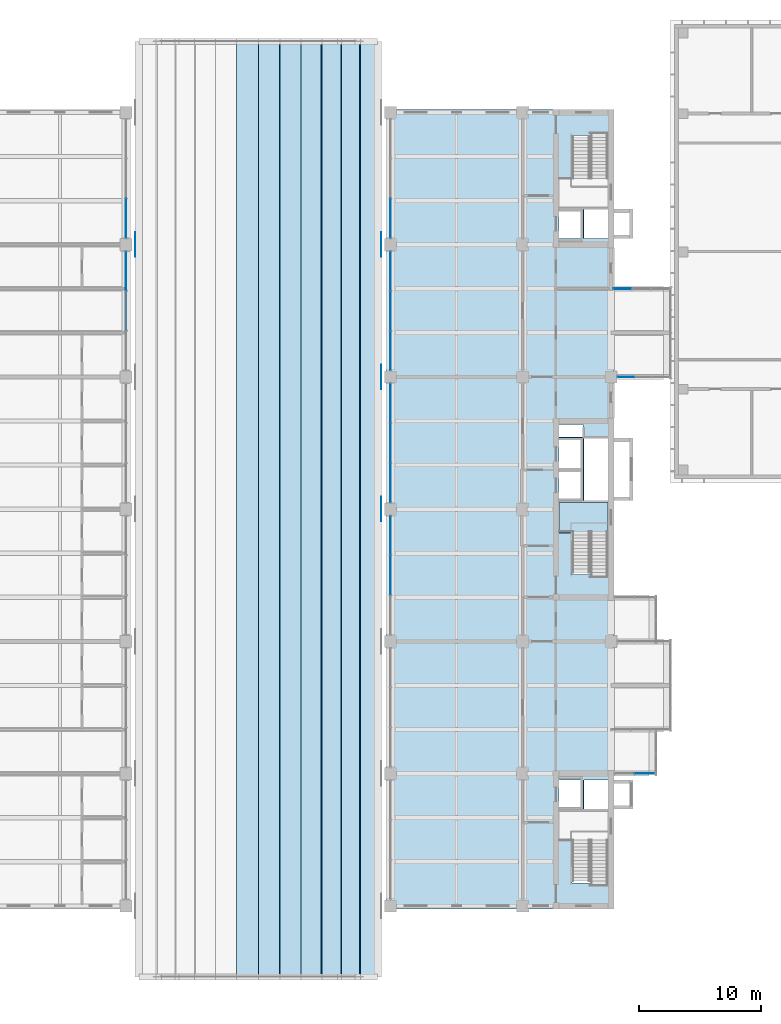
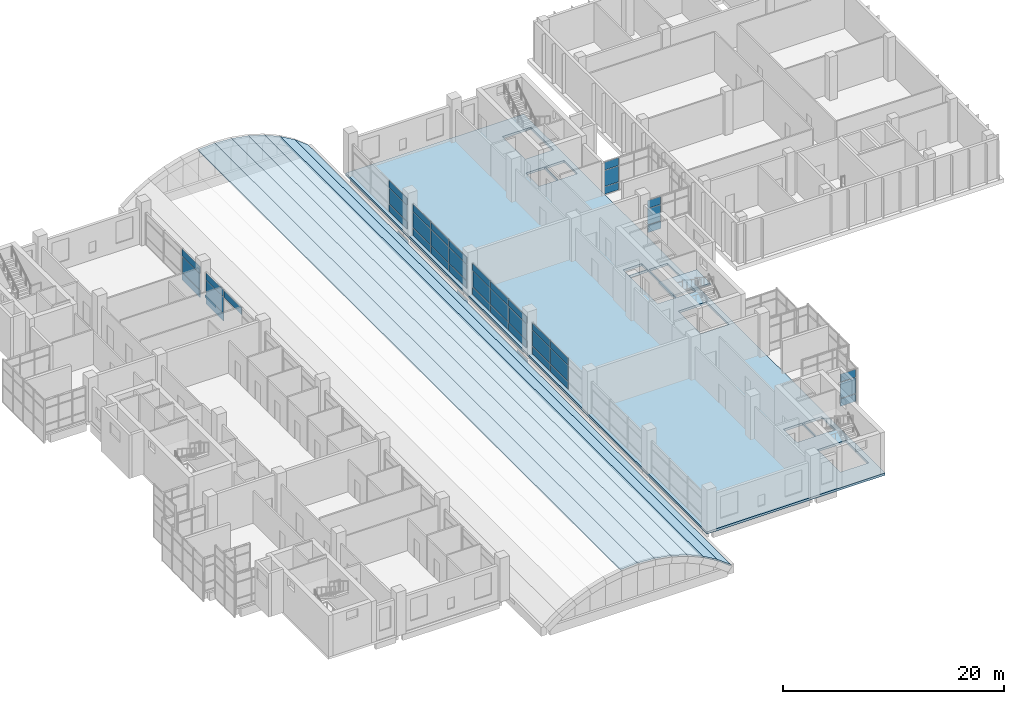
# One storey, part 27 of 45: 47 plates, 9 slabs, 10 elements without a shape of their own.
"""IFC4 building model written with IfcOpenShell, lengths in metres."""

from ifc_helpers import new_model, si_unit, direction, frame, origin, origin_2d, place, context, subcontext, project, spatial, polyline, rectangle, outline, extrude, material, layer, layer_set, type_object, element, aggregate, save


model = new_model("IFC4")

# Units and contexts
model_context = context("Model", 3, precision=1e-05, world=origin(), true_north=direction((0.0, 1.0)))
body_context = subcontext(model_context, "Body", "Model", "MODEL_VIEW")
ifc_project = project(units=[si_unit("LENGTHUNIT", "METRE"), si_unit("AREAUNIT", "SQUARE_METRE"), si_unit("VOLUMEUNIT", "CUBIC_METRE"), si_unit("PLANEANGLEUNIT", "RADIAN"), si_unit("MASSUNIT", "GRAM", prefix="KILO")], contexts=[model_context])

# Site, building, storey
site_placement = place(None, origin())
site = spatial("IfcSite", under=ifc_project, at=site_placement, CompositionType="ELEMENT")
building_placement = place(site_placement, origin())
building = spatial("IfcBuilding", under=site, at=building_placement, Name="Basin Gate Institute", CompositionType="ELEMENT")
storey_placement = place(building_placement, frame((0.0, 0.0, 22.199951171875)))
storey = spatial("IfcBuildingStorey", under=building, at=storey_placement, Name="L04", CompositionType="ELEMENT", Elevation=22.199951171875)

# Slabs
ifc_material_1 = material(Name="Concrete 40 MPa", Category="concrete")
ifc_layer_1 = layer(ifc_material_1, 0.14990234375)
ifc_layer_set_1 = layer_set([ifc_layer_1], Name="Concrete 40 MPa")
slab_type_1 = type_object("IfcSlabType", Name="Barrel shell strip SH1 R120", PredefinedType="ROOF", material=ifc_layer_set_1)
for number, where, z_axis, x_axis, name in (
    (1, (88.235107421875, 29.300048828125, 3.49609375), (-0.05882725737, 0.0, 0.99826817729), (0.99826817729, 0.0, 0.05882725737), "Atrium shell strip 6"),
    (2, (90.0, 29.300048828125, 3.60009765625), (0.05882725737, 0.0, 0.99826817729), (0.99826817729, 0.0, -0.05882725737), "Atrium shell strip 7"),
):
    element("IfcSlab", number, at=place(storey_placement, frame(where, z_axis=z_axis, x_axis=x_axis)), inside=storey, type_object=slab_type_1, material=ifc_layer_set_1, Name=name, PredefinedType="ROOF", context=body_context, shape_type="SweptSolid", body=[
        extrude(outline(polyline([(0.0, 0.0), (1.7679543616383224, 0.0), (1.7679543616383224, 76.39990234374999), (0.0, 76.39990234374999), (0.0, 0.0)])), origin(), (0.0, 0.0, -1.0), 0.14990234375),
    ])
slab_1_placement = place(storey_placement, frame((91.764892578125, 29.300048828125, 3.49609375), z_axis=(0.175967513844, 0.0, 0.984395974226), x_axis=(0.984395974226, 0.0, -0.175967513844)))
element("IfcSlab", 3, at=slab_1_placement, inside=storey, type_object=slab_type_1, material=ifc_layer_set_1, Name="Atrium shell strip 8", PredefinedType="ROOF", context=body_context, shape_type="SweptSolid", body=[
    extrude(outline(polyline([(0.0, 0.0), (1.767571465073995, 0.0), (1.767571465073995, 76.39990234375), (0.0, 76.39990234375), (0.0, 0.0)])), origin(), (0.0, 0.0, -1.0), 0.14990234375),
])
slab_2_placement = place(storey_placement, frame((93.5048828125, 29.300048828125, 3.18505859375), z_axis=(0.290601233715, 0.0, 0.956844252198), x_axis=(0.956844252198, 0.0, -0.290601233715)))
element("IfcSlab", 4, at=slab_2_placement, inside=storey, type_object=slab_type_1, material=ifc_layer_set_1, Name="Atrium shell strip 9", PredefinedType="ROOF", context=body_context, shape_type="SweptSolid", body=[
    extrude(outline(polyline([(0.0, 0.0), (1.768457790271163, 0.0), (1.768457790271163, 76.39990234375), (0.0, 76.39990234375), (0.0, 0.0)])), origin(), (0.0, 0.0, -1.0), 0.14990234375),
])
slab_3_placement = place(storey_placement, frame((95.197021484375, 29.300048828125, 2.671142578125), z_axis=(0.401159401396, 0.0, 0.916008261246), x_axis=(0.916008261246, 0.0, -0.401159401396)))
element("IfcSlab", 5, at=slab_3_placement, inside=storey, type_object=slab_type_1, material=ifc_layer_set_1, Name="Atrium shell strip 10", PredefinedType="ROOF", context=body_context, shape_type="SweptSolid", body=[
    extrude(outline(polyline([(0.0, 0.0), (1.7673383012643265, 0.0), (1.7673383012643265, 76.39990234375001), (0.0, 76.39990234375001), (0.0, 0.0)])), origin(), (0.0, 0.0, -1.0), 0.14990234375),
])
slab_4_placement = place(storey_placement, frame((96.81591796875, 29.300048828125, 1.962158203125), z_axis=(0.505715955593, 0.0, 0.862700047675), x_axis=(0.862700047675, 0.0, -0.505715955593)))
element("IfcSlab", 6, at=slab_4_placement, inside=storey, type_object=slab_type_1, material=ifc_layer_set_1, Name="Atrium shell strip 11", PredefinedType="ROOF", context=body_context, shape_type="SweptSolid", body=[
    extrude(outline(polyline([(0.0, 0.0), (1.767875739064467, 0.0), (1.767875739064467, 76.39990234375), (0.0, 76.39990234375), (0.0, 0.0)])), origin(), (0.0, 0.0, -1.0), 0.14990234375),
])
slab_5_placement = place(storey_placement, frame((98.341064453125, 29.300048828125, 1.068115234375), z_axis=(0.604123513063, 0.0, 0.796890695745), x_axis=(0.796890695745, 0.0, -0.604123513063)))
element("IfcSlab", 7, at=slab_5_placement, inside=storey, type_object=slab_type_1, material=ifc_layer_set_1, Name="Atrium shell strip 12", PredefinedType="ROOF", context=body_context, shape_type="SweptSolid", body=[
    extrude(outline(polyline([(0.0, 0.0), (1.7680411559553462, 0.0), (1.7680411559553462, 76.39990234375), (0.0, 76.39990234375), (0.0, 0.0)])), origin(), (0.0, 0.0, -1.0), 0.14990234375),
])

# Plates
ifc_material_2 = material(Name="Stainless steel", Category="steel")
ifc_layer_2 = layer(ifc_material_2, 0.0029296875)
ifc_layer_set_2 = layer_set([ifc_layer_2], Name="Stainless steel")
plate_type_1 = type_object("IfcPlateType", Name="Shell joint cover JC1", PredefinedType="SHEET", material=ifc_layer_set_2)
for number, where, z_axis, x_axis, name in (
    (8, (100.051513671875, 67.5, -0.39990234375), (0.0, 0.0, 1.0), (1.0, 0.0, 0.0), "Atrium shell joint cover 4E"),
    (9, (100.051513671875, 78.300048828125, -0.39990234375), (0.0, 0.0, 1.0), (1.0, 0.0, 0.0), "Atrium shell joint cover 5E"),
    (10, (79.948486328125, 89.10009765625, -0.39990234375), (0.0, 0.0, 1.0), (1.0, 0.0, 0.0), "Atrium shell joint cover 6W"),
    (11, (100.051513671875, 89.10009765625, -0.39990234375), (0.0, 0.0, 1.0), (1.0, 0.0, 0.0), "Atrium shell joint cover 6E"),
):
    element("IfcPlate", number, at=place(storey_placement, frame(where, z_axis=z_axis, x_axis=x_axis)), inside=storey, type_object=plate_type_1, material=ifc_layer_set_2, Name=name, PredefinedType="SHEET", context=body_context, shape_type="SweptSolid", body=[
        extrude(rectangle(XDim=0.0029296875, YDim=2.0, at=origin_2d()), origin(), (0.0, 0.0, 1.0), 0.300048828125),
    ])

# Slab
ifc_material_3 = material(Name="Concrete 40 MPa", Category="concrete")
ifc_layer_3 = layer(ifc_material_3, 0.25)
ifc_layer_set_3 = layer_set([ifc_layer_3], Name="Concrete 40 MPa")
slab_type_2 = type_object("IfcSlabType", Name="Slab SL4 R120", PredefinedType="FLOOR", material=ifc_layer_set_3)
slab_6_placement = place(storey_placement, frame((0.0, 0.0, -0.25)))
element("IfcSlab", 12, at=slab_6_placement, inside=storey, type_object=slab_type_2, material=ifc_layer_set_3, Name="SLAB/L04/E", PredefinedType="FLOOR", context=body_context, shape_type="SweptSolid", body=[
    extrude(outline(polyline([(119.050048828125, 100.14990234375), (100.449951171875, 100.14990234375), (100.449951171875, 34.85009765625), (119.050048828125, 34.85009765625), (119.050048828125, 100.14990234375)]), holes=[polyline([(118.550048828125, 41.070068359375), (115.60009765625, 41.070068359375), (115.60009765625, 36.969970703125), (118.550048828125, 36.969970703125), (118.550048828125, 41.070068359375)]), polyline([(118.550048828125, 66.27001953125), (115.60009765625, 66.27001953125), (115.60009765625, 62.169921875), (118.550048828125, 62.169921875), (118.550048828125, 66.27001953125)]), polyline([(118.550048828125, 98.030029296875), (115.60009765625, 98.030029296875), (115.60009765625, 93.929931640625), (118.550048828125, 93.929931640625), (118.550048828125, 98.030029296875)]), polyline([(118.550048828125, 45.39990234375), (116.60009765625, 45.39990234375), (116.60009765625, 43.0), (118.550048828125, 43.0), (118.550048828125, 45.39990234375)]), polyline([(118.550048828125, 73.300048828125), (116.60009765625, 73.300048828125), (116.60009765625, 68.199951171875), (118.550048828125, 68.199951171875), (118.550048828125, 73.300048828125)]), polyline([(116.5, 74.39990234375), (114.550048828125, 74.39990234375), (114.550048828125, 73.39990234375), (116.5, 73.39990234375), (116.5, 74.39990234375)]), polyline([(118.550048828125, 92.0), (116.60009765625, 92.0), (116.60009765625, 89.60009765625), (118.550048828125, 89.60009765625), (118.550048828125, 92.0)]), polyline([(116.5, 45.39990234375), (114.550048828125, 45.39990234375), (114.550048828125, 43.0), (116.5, 43.0), (116.5, 45.39990234375)]), polyline([(116.5, 68.199951171875), (114.550048828125, 68.199951171875), (114.550048828125, 73.300048828125), (116.5, 73.300048828125), (116.5, 68.199951171875)]), polyline([(116.5, 92.0), (114.550048828125, 92.0), (114.550048828125, 89.60009765625), (116.5, 89.60009765625), (116.5, 92.0)])]), origin(), (0.0, 0.0, 1.0), 0.25),
])

# Curtain wall, plates
ifc_material_4 = material(Name="Aluminium-framed glazing", Category="aluminium")
ifc_layer_4 = layer(ifc_material_4, 0.199951171875)
ifc_layer_set_4 = layer_set([ifc_layer_4], Name="Atrium curtain wall CW2")
curtain_wall_type_1 = type_object("IfcCurtainWallType", Name="Atrium curtain wall CW2", PredefinedType="NOTDEFINED", material=ifc_layer_set_4)
curtain_wall_1_placement = place(storey_placement, origin())
curtain_wall_1 = element("IfcCurtainWall", 13, at=curtain_wall_1_placement, inside=storey, type_object=curtain_wall_type_1, material=ifc_layer_set_4, Name="Atrium curtain wall W wing atrium bay 5 L04", PredefinedType="NOTDEFINED")
ifc_material_5 = material(Name="Aluminium insulated spandrel panel", Category="aluminium")
ifc_layer_5 = layer(ifc_material_5, 0.050048828125)
ifc_layer_set_5 = layer_set([ifc_layer_5], Name="Spandrel panel PN2")
plate_type_2 = type_object("IfcPlateType", Name="Spandrel panel PN2", PredefinedType="CURTAIN_PANEL", material=ifc_layer_set_5)
plate_1_placement = place(storey_placement, frame((79.199951171875, 83.699951171875, 2.72998046875), z_axis=(0.0, 0.0, 1.0), x_axis=(0.0, 1.0, 0.0)))
plate_1 = element("IfcPlate", 14, at=plate_1_placement, type_object=plate_type_2, material=ifc_layer_set_5, Name="CW2 spandrel panel 2.3", PredefinedType="CURTAIN_PANEL", context=body_context, shape_type="SweptSolid", body=[
    extrude(rectangle(XDim=3.206787109375, YDim=0.050048828125, at=origin_2d()), origin(), (0.0, 0.0, 1.0), 0.760009765625),
])
plate_2_placement = place(storey_placement, frame((79.199951171875, 86.95166015625, 0.06005859375), z_axis=(0.0, 0.0, 1.0), x_axis=(0.0, 1.0, 0.0)))
plate_2 = element("IfcPlate", 15, at=plate_2_placement, type_object=plate_type_2, material=ifc_layer_set_5, Name="CW2 spandrel panel 3.1", PredefinedType="CURTAIN_PANEL", context=body_context, shape_type="SweptSolid", body=[
    extrude(rectangle(XDim=3.1767578125, YDim=0.050048828125, at=origin_2d()), origin(), (0.0, 0.0, 1.0), 0.81005859375),
])
plate_3_placement = place(storey_placement, frame((79.199951171875, 86.95166015625, 2.72998046875), z_axis=(0.0, 0.0, 1.0), x_axis=(0.0, 1.0, 0.0)))
plate_3 = element("IfcPlate", 16, at=plate_3_placement, type_object=plate_type_2, material=ifc_layer_set_5, Name="CW2 spandrel panel 3.3", PredefinedType="CURTAIN_PANEL", context=body_context, shape_type="SweptSolid", body=[
    extrude(rectangle(XDim=3.1767578125, YDim=0.050048828125, at=origin_2d()), origin(), (0.0, 0.0, 1.0), 0.760009765625),
])

curtain_wall_2_placement = place(storey_placement, origin())
curtain_wall_2 = element("IfcCurtainWall", 17, at=curtain_wall_2_placement, inside=storey, type_object=curtain_wall_type_1, material=ifc_layer_set_4, Name="Atrium curtain wall W wing atrium bay 6 L04", PredefinedType="NOTDEFINED")
plate_4_placement = place(storey_placement, frame((79.199951171875, 91.248291015625, 0.06005859375), z_axis=(0.0, 0.0, 1.0), x_axis=(0.0, 1.0, 0.0)))
plate_4 = element("IfcPlate", 18, at=plate_4_placement, type_object=plate_type_2, material=ifc_layer_set_5, Name="CW2 spandrel panel 1.1", PredefinedType="CURTAIN_PANEL", context=body_context, shape_type="SweptSolid", body=[
    extrude(rectangle(XDim=3.1767578125, YDim=0.050048828125, at=origin_2d()), origin(), (0.0, 0.0, 1.0), 0.81005859375),
])
plate_5_placement = place(storey_placement, frame((79.199951171875, 91.248291015625, 2.72998046875), z_axis=(0.0, 0.0, 1.0), x_axis=(0.0, 1.0, 0.0)))
plate_5 = element("IfcPlate", 19, at=plate_5_placement, type_object=plate_type_2, material=ifc_layer_set_5, Name="CW2 spandrel panel 1.3", PredefinedType="CURTAIN_PANEL", context=body_context, shape_type="SweptSolid", body=[
    extrude(rectangle(XDim=3.1767578125, YDim=0.050048828125, at=origin_2d()), origin(), (0.0, 0.0, 1.0), 0.760009765625),
])

curtain_wall_3_placement = place(storey_placement, origin())
curtain_wall_3 = element("IfcCurtainWall", 20, at=curtain_wall_3_placement, inside=storey, type_object=curtain_wall_type_1, material=ifc_layer_set_4, Name="Atrium curtain wall E wing atrium bay 3 L04", PredefinedType="NOTDEFINED")
plate_6_placement = place(storey_placement, frame((100.800048828125, 62.10009765625, 0.06005859375), z_axis=(0.0, 0.0, 1.0), x_axis=(0.0, 1.0, 0.0)))
plate_6 = element("IfcPlate", 21, at=plate_6_placement, type_object=plate_type_2, material=ifc_layer_set_5, Name="CW2 spandrel panel 2.1", PredefinedType="CURTAIN_PANEL", context=body_context, shape_type="SweptSolid", body=[
    extrude(rectangle(XDim=3.206787109375, YDim=0.050048828125, at=origin_2d()), origin(), (0.0, 0.0, 1.0), 0.81005859375),
])
plate_7_placement = place(storey_placement, frame((100.800048828125, 62.10009765625, 2.72998046875), z_axis=(0.0, 0.0, 1.0), x_axis=(0.0, 1.0, 0.0)))
plate_7 = element("IfcPlate", 22, at=plate_7_placement, type_object=plate_type_2, material=ifc_layer_set_5, Name="CW2 spandrel panel 2.3", PredefinedType="CURTAIN_PANEL", context=body_context, shape_type="SweptSolid", body=[
    extrude(rectangle(XDim=3.206787109375, YDim=0.050048828125, at=origin_2d()), origin(), (0.0, 0.0, 1.0), 0.760009765625),
])
plate_8_placement = place(storey_placement, frame((100.800048828125, 65.3515625, 0.06005859375), z_axis=(0.0, 0.0, 1.0), x_axis=(0.0, 1.0, 0.0)))
plate_8 = element("IfcPlate", 23, at=plate_8_placement, type_object=plate_type_2, material=ifc_layer_set_5, Name="CW2 spandrel panel 3.1", PredefinedType="CURTAIN_PANEL", context=body_context, shape_type="SweptSolid", body=[
    extrude(rectangle(XDim=3.1767578125, YDim=0.050048828125, at=origin_2d()), origin(), (0.0, 0.0, 1.0), 0.81005859375),
])
plate_9_placement = place(storey_placement, frame((100.800048828125, 65.3515625, 2.72998046875), z_axis=(0.0, 0.0, 1.0), x_axis=(0.0, 1.0, 0.0)))
plate_9 = element("IfcPlate", 24, at=plate_9_placement, type_object=plate_type_2, material=ifc_layer_set_5, Name="CW2 spandrel panel 3.3", PredefinedType="CURTAIN_PANEL", context=body_context, shape_type="SweptSolid", body=[
    extrude(rectangle(XDim=3.1767578125, YDim=0.050048828125, at=origin_2d()), origin(), (0.0, 0.0, 1.0), 0.760009765625),
])

curtain_wall_4_placement = place(storey_placement, origin())
curtain_wall_4 = element("IfcCurtainWall", 25, at=curtain_wall_4_placement, inside=storey, type_object=curtain_wall_type_1, material=ifc_layer_set_4, Name="Atrium curtain wall E wing atrium bay 4 L04", PredefinedType="NOTDEFINED")
plate_10_placement = place(storey_placement, frame((100.800048828125, 69.6484375, 0.06005859375), z_axis=(0.0, 0.0, 1.0), x_axis=(0.0, 1.0, 0.0)))
plate_10 = element("IfcPlate", 26, at=plate_10_placement, type_object=plate_type_2, material=ifc_layer_set_5, Name="CW2 spandrel panel 1.1", PredefinedType="CURTAIN_PANEL", context=body_context, shape_type="SweptSolid", body=[
    extrude(rectangle(XDim=3.1767578125, YDim=0.050048828125, at=origin_2d()), origin(), (0.0, 0.0, 1.0), 0.81005859375),
])
plate_11_placement = place(storey_placement, frame((100.800048828125, 69.6484375, 2.72998046875), z_axis=(0.0, 0.0, 1.0), x_axis=(0.0, 1.0, 0.0)))
plate_11 = element("IfcPlate", 27, at=plate_11_placement, type_object=plate_type_2, material=ifc_layer_set_5, Name="CW2 spandrel panel 1.3", PredefinedType="CURTAIN_PANEL", context=body_context, shape_type="SweptSolid", body=[
    extrude(rectangle(XDim=3.1767578125, YDim=0.050048828125, at=origin_2d()), origin(), (0.0, 0.0, 1.0), 0.760009765625),
])
plate_12_placement = place(storey_placement, frame((100.800048828125, 72.89990234375, 0.06005859375), z_axis=(0.0, 0.0, 1.0), x_axis=(0.0, 1.0, 0.0)))
plate_12 = element("IfcPlate", 28, at=plate_12_placement, type_object=plate_type_2, material=ifc_layer_set_5, Name="CW2 spandrel panel 2.1", PredefinedType="CURTAIN_PANEL", context=body_context, shape_type="SweptSolid", body=[
    extrude(rectangle(XDim=3.206787109375, YDim=0.050048828125, at=origin_2d()), origin(), (0.0, 0.0, 1.0), 0.81005859375),
])
plate_13_placement = place(storey_placement, frame((100.800048828125, 72.89990234375, 2.72998046875), z_axis=(0.0, 0.0, 1.0), x_axis=(0.0, 1.0, 0.0)))
plate_13 = element("IfcPlate", 29, at=plate_13_placement, type_object=plate_type_2, material=ifc_layer_set_5, Name="CW2 spandrel panel 2.3", PredefinedType="CURTAIN_PANEL", context=body_context, shape_type="SweptSolid", body=[
    extrude(rectangle(XDim=3.206787109375, YDim=0.050048828125, at=origin_2d()), origin(), (0.0, 0.0, 1.0), 0.760009765625),
])
plate_14_placement = place(storey_placement, frame((100.800048828125, 76.151611328125, 0.06005859375), z_axis=(0.0, 0.0, 1.0), x_axis=(0.0, 1.0, 0.0)))
plate_14 = element("IfcPlate", 30, at=plate_14_placement, type_object=plate_type_2, material=ifc_layer_set_5, Name="CW2 spandrel panel 3.1", PredefinedType="CURTAIN_PANEL", context=body_context, shape_type="SweptSolid", body=[
    extrude(rectangle(XDim=3.1767578125, YDim=0.050048828125, at=origin_2d()), origin(), (0.0, 0.0, 1.0), 0.81005859375),
])
plate_15_placement = place(storey_placement, frame((100.800048828125, 76.151611328125, 2.72998046875), z_axis=(0.0, 0.0, 1.0), x_axis=(0.0, 1.0, 0.0)))
plate_15 = element("IfcPlate", 31, at=plate_15_placement, type_object=plate_type_2, material=ifc_layer_set_5, Name="CW2 spandrel panel 3.3", PredefinedType="CURTAIN_PANEL", context=body_context, shape_type="SweptSolid", body=[
    extrude(rectangle(XDim=3.1767578125, YDim=0.050048828125, at=origin_2d()), origin(), (0.0, 0.0, 1.0), 0.760009765625),
])

curtain_wall_5_placement = place(storey_placement, origin())
curtain_wall_5 = element("IfcCurtainWall", 32, at=curtain_wall_5_placement, inside=storey, type_object=curtain_wall_type_1, material=ifc_layer_set_4, Name="Atrium curtain wall E wing atrium bay 5 L04", PredefinedType="NOTDEFINED")
plate_16_placement = place(storey_placement, frame((100.800048828125, 80.4482421875, 0.06005859375), z_axis=(0.0, 0.0, 1.0), x_axis=(0.0, 1.0, 0.0)))
plate_16 = element("IfcPlate", 33, at=plate_16_placement, type_object=plate_type_2, material=ifc_layer_set_5, Name="CW2 spandrel panel 1.1", PredefinedType="CURTAIN_PANEL", context=body_context, shape_type="SweptSolid", body=[
    extrude(rectangle(XDim=3.1767578125, YDim=0.050048828125, at=origin_2d()), origin(), (0.0, 0.0, 1.0), 0.81005859375),
])
plate_17_placement = place(storey_placement, frame((100.800048828125, 80.4482421875, 2.72998046875), z_axis=(0.0, 0.0, 1.0), x_axis=(0.0, 1.0, 0.0)))
plate_17 = element("IfcPlate", 34, at=plate_17_placement, type_object=plate_type_2, material=ifc_layer_set_5, Name="CW2 spandrel panel 1.3", PredefinedType="CURTAIN_PANEL", context=body_context, shape_type="SweptSolid", body=[
    extrude(rectangle(XDim=3.1767578125, YDim=0.050048828125, at=origin_2d()), origin(), (0.0, 0.0, 1.0), 0.760009765625),
])
plate_18_placement = place(storey_placement, frame((100.800048828125, 83.699951171875, 0.06005859375), z_axis=(0.0, 0.0, 1.0), x_axis=(0.0, 1.0, 0.0)))
plate_18 = element("IfcPlate", 35, at=plate_18_placement, type_object=plate_type_2, material=ifc_layer_set_5, Name="CW2 spandrel panel 2.1", PredefinedType="CURTAIN_PANEL", context=body_context, shape_type="SweptSolid", body=[
    extrude(rectangle(XDim=3.206787109375, YDim=0.050048828125, at=origin_2d()), origin(), (0.0, 0.0, 1.0), 0.81005859375),
])
plate_19_placement = place(storey_placement, frame((100.800048828125, 83.699951171875, 2.72998046875), z_axis=(0.0, 0.0, 1.0), x_axis=(0.0, 1.0, 0.0)))
plate_19 = element("IfcPlate", 36, at=plate_19_placement, type_object=plate_type_2, material=ifc_layer_set_5, Name="CW2 spandrel panel 2.3", PredefinedType="CURTAIN_PANEL", context=body_context, shape_type="SweptSolid", body=[
    extrude(rectangle(XDim=3.206787109375, YDim=0.050048828125, at=origin_2d()), origin(), (0.0, 0.0, 1.0), 0.760009765625),
])
plate_20_placement = place(storey_placement, frame((100.800048828125, 86.95166015625, 0.06005859375), z_axis=(0.0, 0.0, 1.0), x_axis=(0.0, 1.0, 0.0)))
plate_20 = element("IfcPlate", 37, at=plate_20_placement, type_object=plate_type_2, material=ifc_layer_set_5, Name="CW2 spandrel panel 3.1", PredefinedType="CURTAIN_PANEL", context=body_context, shape_type="SweptSolid", body=[
    extrude(rectangle(XDim=3.1767578125, YDim=0.050048828125, at=origin_2d()), origin(), (0.0, 0.0, 1.0), 0.81005859375),
])
plate_21_placement = place(storey_placement, frame((100.800048828125, 86.95166015625, 2.72998046875), z_axis=(0.0, 0.0, 1.0), x_axis=(0.0, 1.0, 0.0)))
plate_21 = element("IfcPlate", 38, at=plate_21_placement, type_object=plate_type_2, material=ifc_layer_set_5, Name="CW2 spandrel panel 3.3", PredefinedType="CURTAIN_PANEL", context=body_context, shape_type="SweptSolid", body=[
    extrude(rectangle(XDim=3.1767578125, YDim=0.050048828125, at=origin_2d()), origin(), (0.0, 0.0, 1.0), 0.760009765625),
])

curtain_wall_6_placement = place(storey_placement, origin())
curtain_wall_6 = element("IfcCurtainWall", 39, at=curtain_wall_6_placement, inside=storey, type_object=curtain_wall_type_1, material=ifc_layer_set_4, Name="Atrium curtain wall E wing atrium bay 6 L04", PredefinedType="NOTDEFINED")
plate_22_placement = place(storey_placement, frame((100.800048828125, 91.248291015625, 0.06005859375), z_axis=(0.0, 0.0, 1.0), x_axis=(0.0, 1.0, 0.0)))
plate_22 = element("IfcPlate", 40, at=plate_22_placement, type_object=plate_type_2, material=ifc_layer_set_5, Name="CW2 spandrel panel 1.1", PredefinedType="CURTAIN_PANEL", context=body_context, shape_type="SweptSolid", body=[
    extrude(rectangle(XDim=3.1767578125, YDim=0.050048828125, at=origin_2d()), origin(), (0.0, 0.0, 1.0), 0.81005859375),
])
plate_23_placement = place(storey_placement, frame((100.800048828125, 91.248291015625, 2.72998046875), z_axis=(0.0, 0.0, 1.0), x_axis=(0.0, 1.0, 0.0)))
plate_23 = element("IfcPlate", 41, at=plate_23_placement, type_object=plate_type_2, material=ifc_layer_set_5, Name="CW2 spandrel panel 1.3", PredefinedType="CURTAIN_PANEL", context=body_context, shape_type="SweptSolid", body=[
    extrude(rectangle(XDim=3.1767578125, YDim=0.050048828125, at=origin_2d()), origin(), (0.0, 0.0, 1.0), 0.760009765625),
])

# Curtain wall, plate
ifc_material_6 = material(Name="Aluminium-framed glazing", Category="aluminium")
ifc_layer_6 = layer(ifc_material_6, 0.14990234375)
ifc_layer_set_6 = layer_set([ifc_layer_6], Name="Capsule front curtain wall CW1")
curtain_wall_type_2 = type_object("IfcCurtainWallType", Name="Capsule front curtain wall CW1", PredefinedType="NOTDEFINED", material=ifc_layer_set_6)
curtain_wall_7_placement = place(storey_placement, origin())
curtain_wall_7 = element("IfcCurtainWall", 42, at=curtain_wall_7_placement, inside=storey, type_object=curtain_wall_type_2, material=ifc_layer_set_6, Name="Capsule front curtain wall E wing capsule end L04 line 4", PredefinedType="NOTDEFINED")
plate_24_placement = place(storey_placement, frame((121.550048828125, 45.89990234375, 0.06005859375), z_axis=(0.0, 0.0, 1.0), x_axis=(-1.0, 0.0, 0.0)))
plate_24 = element("IfcPlate", 43, at=plate_24_placement, type_object=plate_type_2, material=ifc_layer_set_5, Name="CW1 spandrel panel 1.1", PredefinedType="CURTAIN_PANEL", context=body_context, shape_type="SweptSolid", body=[
    extrude(rectangle(XDim=1.60009765625, YDim=0.050048828125, at=origin_2d()), origin(), (0.0, 0.0, 1.0), 0.81005859375),
])

curtain_wall_8_placement = place(storey_placement, origin())
curtain_wall_8 = element("IfcCurtainWall", 44, at=curtain_wall_8_placement, inside=storey, type_object=curtain_wall_type_2, material=ifc_layer_set_6, Name="Capsule front curtain wall E wing capsule end L04 line 13", PredefinedType="NOTDEFINED")
plate_25_placement = place(storey_placement, frame((120.029052734375, 78.300048828125, 0.06005859375), z_axis=(0.0, 0.0, 1.0), x_axis=(-1.0, 0.0, 0.0)))
plate_25 = element("IfcPlate", 45, at=plate_25_placement, type_object=plate_type_2, material=ifc_layer_set_5, Name="CW1 spandrel panel 3.1", PredefinedType="CURTAIN_PANEL", context=body_context, shape_type="SweptSolid", body=[
    extrude(rectangle(XDim=1.3583984375, YDim=0.050048828125, at=origin_2d()), origin(), (0.0, 0.0, 1.0), 0.81005859375),
])

curtain_wall_9_placement = place(storey_placement, origin())
curtain_wall_9 = element("IfcCurtainWall", 46, at=curtain_wall_9_placement, inside=storey, type_object=curtain_wall_type_2, material=ifc_layer_set_6, Name="Capsule front curtain wall E wing capsule end L04 line 15", PredefinedType="NOTDEFINED")
plate_26_placement = place(storey_placement, frame((119.737548828125, 85.5, 0.06005859375), z_axis=(0.0, 0.0, 1.0), x_axis=(-1.0, 0.0, 0.0)))
plate_26 = element("IfcPlate", 47, at=plate_26_placement, type_object=plate_type_2, material=ifc_layer_set_5, Name="CW1 spandrel panel 3.1", PredefinedType="CURTAIN_PANEL", context=body_context, shape_type="SweptSolid", body=[
    extrude(rectangle(XDim=1.47509765625, YDim=0.050048828125, at=origin_2d()), origin(), (0.0, 0.0, 1.0), 0.81005859375),
])

# Stair, slab
ifc_material_7 = material(Name="Concrete 40 MPa", Category="concrete")
stair_type = type_object("IfcStairType", Name="Stair ST", PredefinedType="HALF_TURN_STAIR", material=ifc_material_7)
stair_placement = place(storey_placement, origin())
stair = element("IfcStair", 48, at=stair_placement, inside=storey, type_object=stair_type, material=ifc_material_7, Name="Special safe stair ST-EM L04", PredefinedType="HALF_TURN_STAIR")
ifc_material_8 = material(Name="Concrete 40 MPa", Category="concrete")
ifc_layer_7 = layer(ifc_material_8, 0.199951171875)
ifc_layer_set_7 = layer_set([ifc_layer_7], Name="Concrete 40 MPa")
slab_type_3 = type_object("IfcSlabType", Name="Stair landing LN REI 120", PredefinedType="LANDING", material=ifc_layer_set_7)
slab_7_placement = place(storey_placement, frame((0.0, 0.0, 2.288818359375)))
slab_7 = element("IfcSlab", 49, at=slab_7_placement, type_object=slab_type_3, material=ifc_layer_set_7, Name="Stair landing ST-EM-L1 L04", PredefinedType="LANDING", context=body_context, shape_type="SweptSolid", body=[
    extrude(outline(polyline([(118.550048828125, 68.050048828125), (114.550048828125, 68.050048828125), (114.550048828125, 65.570068359375), (118.550048828125, 65.570068359375), (118.550048828125, 68.050048828125)])), origin(), (0.0, 0.0, 1.0), 0.2001953125),
])
aggregate(stair, [slab_7])

# Plate
ifc_material_9 = material(Name="Double glazed unit")
ifc_layer_8 = layer(ifc_material_9, 0.028076171875)
ifc_layer_set_8 = layer_set([ifc_layer_8], Name="Vision panel PN1")
plate_type_3 = type_object("IfcPlateType", Name="Vision panel PN1", PredefinedType="CURTAIN_PANEL", material=ifc_layer_set_8)
plate_27_placement = place(storey_placement, frame((79.199951171875, 86.95166015625, 0.93017578125), z_axis=(0.0, 0.0, 1.0), x_axis=(0.0, 1.0, 0.0)))
plate_27 = element("IfcPlate", 50, at=plate_27_placement, type_object=plate_type_3, material=ifc_layer_set_8, Name="CW2 vision panel 3.2", PredefinedType="CURTAIN_PANEL", context=body_context, shape_type="SweptSolid", body=[
    extrude(rectangle(XDim=3.1767578125, YDim=0.028076171875, at=origin_2d()), origin(), (0.0, 0.0, 1.0), 1.739990234375),
])

aggregate(curtain_wall_1, [plate_1, plate_2, plate_27, plate_3])

plate_28_placement = place(storey_placement, frame((79.199951171875, 91.248291015625, 0.93017578125), z_axis=(0.0, 0.0, 1.0), x_axis=(0.0, 1.0, 0.0)))
plate_28 = element("IfcPlate", 51, at=plate_28_placement, type_object=plate_type_3, material=ifc_layer_set_8, Name="CW2 vision panel 1.2", PredefinedType="CURTAIN_PANEL", context=body_context, shape_type="SweptSolid", body=[
    extrude(rectangle(XDim=3.1767578125, YDim=0.028076171875, at=origin_2d()), origin(), (0.0, 0.0, 1.0), 1.739990234375),
])

aggregate(curtain_wall_2, [plate_4, plate_28, plate_5])

plate_29_placement = place(storey_placement, frame((100.800048828125, 62.10009765625, 0.93017578125), z_axis=(0.0, 0.0, 1.0), x_axis=(0.0, 1.0, 0.0)))
plate_29 = element("IfcPlate", 52, at=plate_29_placement, type_object=plate_type_3, material=ifc_layer_set_8, Name="CW2 vision panel 2.2", PredefinedType="CURTAIN_PANEL", context=body_context, shape_type="SweptSolid", body=[
    extrude(rectangle(XDim=3.206787109375, YDim=0.028076171875, at=origin_2d()), origin(), (0.0, 0.0, 1.0), 1.739990234375),
])

plate_30_placement = place(storey_placement, frame((100.800048828125, 65.3515625, 0.93017578125), z_axis=(0.0, 0.0, 1.0), x_axis=(0.0, 1.0, 0.0)))
plate_30 = element("IfcPlate", 53, at=plate_30_placement, type_object=plate_type_3, material=ifc_layer_set_8, Name="CW2 vision panel 3.2", PredefinedType="CURTAIN_PANEL", context=body_context, shape_type="SweptSolid", body=[
    extrude(rectangle(XDim=3.1767578125, YDim=0.028076171875, at=origin_2d()), origin(), (0.0, 0.0, 1.0), 1.739990234375),
])

aggregate(curtain_wall_3, [plate_6, plate_29, plate_7, plate_8, plate_30, plate_9])

plate_31_placement = place(storey_placement, frame((100.800048828125, 69.6484375, 0.93017578125), z_axis=(0.0, 0.0, 1.0), x_axis=(0.0, 1.0, 0.0)))
plate_31 = element("IfcPlate", 54, at=plate_31_placement, type_object=plate_type_3, material=ifc_layer_set_8, Name="CW2 vision panel 1.2", PredefinedType="CURTAIN_PANEL", context=body_context, shape_type="SweptSolid", body=[
    extrude(rectangle(XDim=3.1767578125, YDim=0.028076171875, at=origin_2d()), origin(), (0.0, 0.0, 1.0), 1.739990234375),
])

plate_32_placement = place(storey_placement, frame((100.800048828125, 72.89990234375, 0.93017578125), z_axis=(0.0, 0.0, 1.0), x_axis=(0.0, 1.0, 0.0)))
plate_32 = element("IfcPlate", 55, at=plate_32_placement, type_object=plate_type_3, material=ifc_layer_set_8, Name="CW2 vision panel 2.2", PredefinedType="CURTAIN_PANEL", context=body_context, shape_type="SweptSolid", body=[
    extrude(rectangle(XDim=3.206787109375, YDim=0.028076171875, at=origin_2d()), origin(), (0.0, 0.0, 1.0), 1.739990234375),
])

plate_33_placement = place(storey_placement, frame((100.800048828125, 76.151611328125, 0.93017578125), z_axis=(0.0, 0.0, 1.0), x_axis=(0.0, 1.0, 0.0)))
plate_33 = element("IfcPlate", 56, at=plate_33_placement, type_object=plate_type_3, material=ifc_layer_set_8, Name="CW2 vision panel 3.2", PredefinedType="CURTAIN_PANEL", context=body_context, shape_type="SweptSolid", body=[
    extrude(rectangle(XDim=3.1767578125, YDim=0.028076171875, at=origin_2d()), origin(), (0.0, 0.0, 1.0), 1.739990234375),
])

aggregate(curtain_wall_4, [plate_10, plate_31, plate_11, plate_12, plate_32, plate_13, plate_14, plate_33, plate_15])

plate_34_placement = place(storey_placement, frame((100.800048828125, 80.4482421875, 0.93017578125), z_axis=(0.0, 0.0, 1.0), x_axis=(0.0, 1.0, 0.0)))
plate_34 = element("IfcPlate", 57, at=plate_34_placement, type_object=plate_type_3, material=ifc_layer_set_8, Name="CW2 vision panel 1.2", PredefinedType="CURTAIN_PANEL", context=body_context, shape_type="SweptSolid", body=[
    extrude(rectangle(XDim=3.1767578125, YDim=0.028076171875, at=origin_2d()), origin(), (0.0, 0.0, 1.0), 1.739990234375),
])

plate_35_placement = place(storey_placement, frame((100.800048828125, 83.699951171875, 0.93017578125), z_axis=(0.0, 0.0, 1.0), x_axis=(0.0, 1.0, 0.0)))
plate_35 = element("IfcPlate", 58, at=plate_35_placement, type_object=plate_type_3, material=ifc_layer_set_8, Name="CW2 vision panel 2.2", PredefinedType="CURTAIN_PANEL", context=body_context, shape_type="SweptSolid", body=[
    extrude(rectangle(XDim=3.206787109375, YDim=0.028076171875, at=origin_2d()), origin(), (0.0, 0.0, 1.0), 1.739990234375),
])

plate_36_placement = place(storey_placement, frame((100.800048828125, 86.95166015625, 0.93017578125), z_axis=(0.0, 0.0, 1.0), x_axis=(0.0, 1.0, 0.0)))
plate_36 = element("IfcPlate", 59, at=plate_36_placement, type_object=plate_type_3, material=ifc_layer_set_8, Name="CW2 vision panel 3.2", PredefinedType="CURTAIN_PANEL", context=body_context, shape_type="SweptSolid", body=[
    extrude(rectangle(XDim=3.1767578125, YDim=0.028076171875, at=origin_2d()), origin(), (0.0, 0.0, 1.0), 1.739990234375),
])

aggregate(curtain_wall_5, [plate_16, plate_34, plate_17, plate_18, plate_35, plate_19, plate_20, plate_36, plate_21])

plate_37_placement = place(storey_placement, frame((100.800048828125, 91.248291015625, 0.93017578125), z_axis=(0.0, 0.0, 1.0), x_axis=(0.0, 1.0, 0.0)))
plate_37 = element("IfcPlate", 60, at=plate_37_placement, type_object=plate_type_3, material=ifc_layer_set_8, Name="CW2 vision panel 1.2", PredefinedType="CURTAIN_PANEL", context=body_context, shape_type="SweptSolid", body=[
    extrude(rectangle(XDim=3.1767578125, YDim=0.028076171875, at=origin_2d()), origin(), (0.0, 0.0, 1.0), 1.739990234375),
])

aggregate(curtain_wall_6, [plate_22, plate_37, plate_23])

plate_38_placement = place(storey_placement, frame((121.550048828125, 45.89990234375, 0.93017578125), z_axis=(0.0, 0.0, 1.0), x_axis=(-1.0, 0.0, 0.0)))
plate_38 = element("IfcPlate", 61, at=plate_38_placement, type_object=plate_type_3, material=ifc_layer_set_8, Name="CW1 vision panel 1.2", PredefinedType="CURTAIN_PANEL", context=body_context, shape_type="SweptSolid", body=[
    extrude(rectangle(XDim=1.60009765625, YDim=0.028076171875, at=origin_2d()), origin(), (0.0, 0.0, 1.0), 1.739990234375),
])

plate_39_placement = place(storey_placement, frame((121.550048828125, 45.89990234375, 2.72998046875), z_axis=(0.0, 0.0, 1.0), x_axis=(-1.0, 0.0, 0.0)))
plate_39 = element("IfcPlate", 62, at=plate_39_placement, type_object=plate_type_3, material=ifc_layer_set_8, Name="CW1 vision panel 1.3", PredefinedType="CURTAIN_PANEL", context=body_context, shape_type="SweptSolid", body=[
    extrude(rectangle(XDim=1.60009765625, YDim=0.028076171875, at=origin_2d()), origin(), (0.0, 0.0, 1.0), 0.860107421875),
])

aggregate(curtain_wall_7, [plate_24, plate_38, plate_39])

plate_40_placement = place(storey_placement, frame((120.029052734375, 78.300048828125, 0.93017578125), z_axis=(0.0, 0.0, 1.0), x_axis=(-1.0, 0.0, 0.0)))
plate_40 = element("IfcPlate", 63, at=plate_40_placement, type_object=plate_type_3, material=ifc_layer_set_8, Name="CW1 vision panel 3.2", PredefinedType="CURTAIN_PANEL", context=body_context, shape_type="SweptSolid", body=[
    extrude(rectangle(XDim=1.3583984375, YDim=0.028076171875, at=origin_2d()), origin(), (0.0, 0.0, 1.0), 1.739990234375),
])

plate_41_placement = place(storey_placement, frame((120.029052734375, 78.300048828125, 2.72998046875), z_axis=(0.0, 0.0, 1.0), x_axis=(-1.0, 0.0, 0.0)))
plate_41 = element("IfcPlate", 64, at=plate_41_placement, type_object=plate_type_3, material=ifc_layer_set_8, Name="CW1 vision panel 3.3", PredefinedType="CURTAIN_PANEL", context=body_context, shape_type="SweptSolid", body=[
    extrude(rectangle(XDim=1.3583984375, YDim=0.028076171875, at=origin_2d()), origin(), (0.0, 0.0, 1.0), 0.860107421875),
])

aggregate(curtain_wall_8, [plate_25, plate_40, plate_41])

plate_42_placement = place(storey_placement, frame((119.737548828125, 85.5, 0.93017578125), z_axis=(0.0, 0.0, 1.0), x_axis=(-1.0, 0.0, 0.0)))
plate_42 = element("IfcPlate", 65, at=plate_42_placement, type_object=plate_type_3, material=ifc_layer_set_8, Name="CW1 vision panel 3.2", PredefinedType="CURTAIN_PANEL", context=body_context, shape_type="SweptSolid", body=[
    extrude(rectangle(XDim=1.47509765625, YDim=0.028076171875, at=origin_2d()), origin(), (0.0, 0.0, 1.0), 1.739990234375),
])

plate_43_placement = place(storey_placement, frame((119.737548828125, 85.5, 2.72998046875), z_axis=(0.0, 0.0, 1.0), x_axis=(-1.0, 0.0, 0.0)))
plate_43 = element("IfcPlate", 66, at=plate_43_placement, type_object=plate_type_3, material=ifc_layer_set_8, Name="CW1 vision panel 3.3", PredefinedType="CURTAIN_PANEL", context=body_context, shape_type="SweptSolid", body=[
    extrude(rectangle(XDim=1.47509765625, YDim=0.028076171875, at=origin_2d()), origin(), (0.0, 0.0, 1.0), 0.860107421875),
])

aggregate(curtain_wall_9, [plate_26, plate_42, plate_43])

save(model, "model.ifc")
